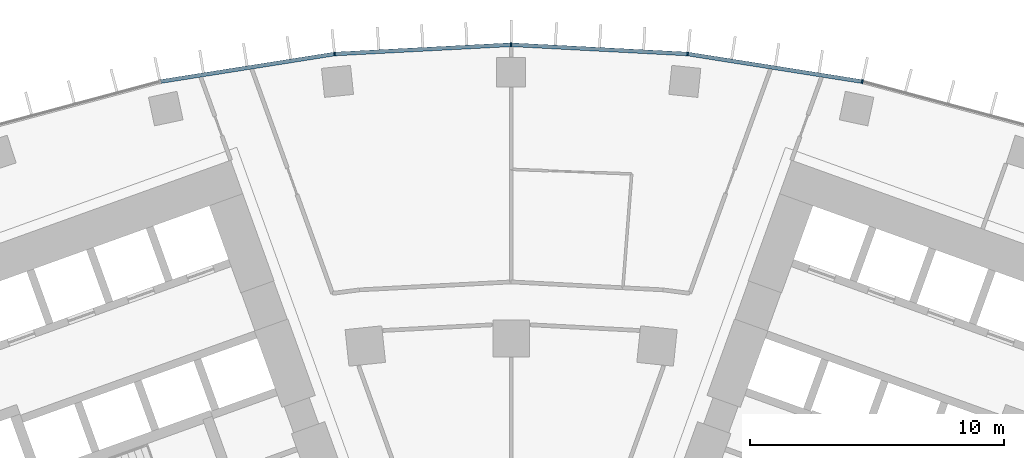
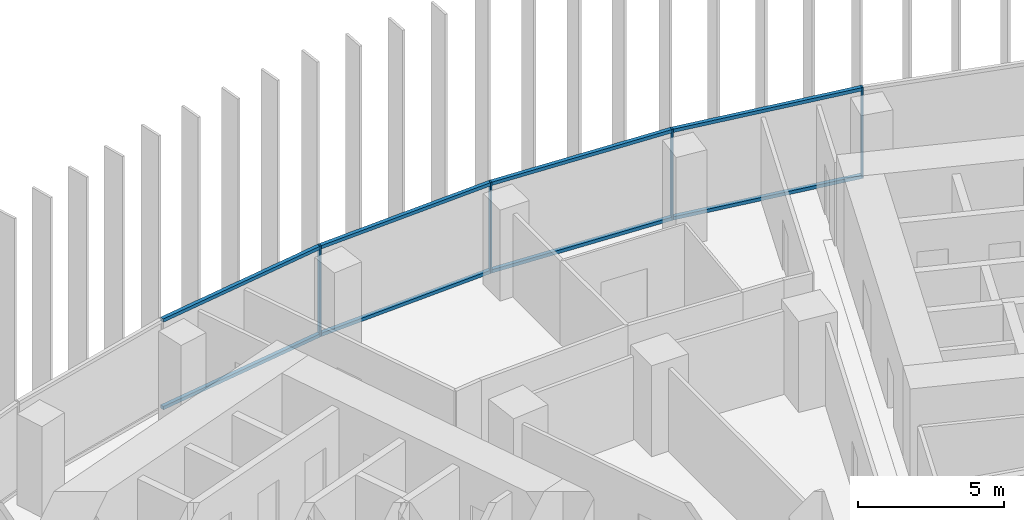
# One storey, part 7 of 22: 12 members, 1 element without a shape of its own.
"""IFC4 building model written with IfcOpenShell, lengths in metres."""

from ifc_helpers import new_model, si_unit, direction, frame, origin, origin_2d, place, context, subcontext, project, spatial, rectangle, extrude, material, layer, layer_set, material_profile, profile_set, type_object, element, aggregate, save


model = new_model("IFC4")

# Units and contexts
model_context = context("Model", 3, precision=1e-05, world=origin(), true_north=direction((0.0, 1.0)))
body_context = subcontext(model_context, "Body", "Model", "MODEL_VIEW")
ifc_project = project(units=[si_unit("LENGTHUNIT", "METRE"), si_unit("AREAUNIT", "SQUARE_METRE"), si_unit("VOLUMEUNIT", "CUBIC_METRE"), si_unit("PLANEANGLEUNIT", "RADIAN"), si_unit("MASSUNIT", "GRAM", prefix="KILO")], contexts=[model_context])

# Site, building, storey
site_placement = place(None, origin())
site = spatial("IfcSite", under=ifc_project, at=site_placement, CompositionType="ELEMENT")
building_placement = place(site_placement, origin())
building = spatial("IfcBuilding", under=site, at=building_placement, Name="Stone Belt Terrace Tower", CompositionType="ELEMENT")
storey_placement = place(building_placement, frame((0.0, 0.0, 109.800048828125)))
storey = spatial("IfcBuildingStorey", under=building, at=storey_placement, Name="L26", CompositionType="ELEMENT", Elevation=109.800048828125)

# Curtain wall, members
ifc_material = material(Name="Aluminium 6063-T6 anodised frame", Category="aluminium")
ifc_layer = layer(ifc_material, 0.14990234375)
ifc_layer_set = layer_set([ifc_layer], Name="CW-A unitised convex-face curtain wall")
curtain_wall_type = type_object("IfcCurtainWallType", Name="CW-A unitised convex-face curtain wall", PredefinedType="NOTDEFINED", material=ifc_layer_set)
curtain_wall_placement = place(storey_placement, origin())
curtain_wall = element("IfcCurtainWall", 1, at=curtain_wall_placement, inside=storey, type_object=curtain_wall_type, Name="CW-A convex face L26", PredefinedType="NOTDEFINED")
ifc_material_profile_1 = material_profile(ifc_material, rectangle(XDim=0.14990234375, YDim=0.06005859375, at=origin_2d()), Name="Aluminium 6063-T6 60x150")
ifc_profile_set_1 = profile_set([ifc_material_profile_1], Name="Aluminium 6063-T6 anodised frame")
member_type_1 = type_object("IfcMemberType", Name="CW-A mullion 60 x 150", PredefinedType="MULLION", material=ifc_profile_set_1)
member_1_placement = place(storey_placement, frame((13.841796875, 65.120361328125, 0.0), z_axis=(0.0, 0.0, 1.0), x_axis=(-0.207911690818, -0.978147600734, 0.0)))
member_1 = element("IfcMember", 2, at=member_1_placement, type_object=member_type_1, Name="CW-A mullion 8", PredefinedType="MULLION", context=body_context, shape_type="SweptSolid", body=[
    extrude(rectangle(XDim=0.14990234375, YDim=0.06005859375, at=origin_2d()), origin(), (0.0, 0.0, 1.0), 3.800048828125),
])
member_2_placement = place(storey_placement, frame((6.958984375, 66.21044921875, 0.0), z_axis=(0.0, 0.0, 1.0), x_axis=(-0.104528463268, -0.994521895368, 0.0)))
member_2 = element("IfcMember", 3, at=member_2_placement, type_object=member_type_1, Name="CW-A mullion 9", PredefinedType="MULLION", context=body_context, shape_type="SweptSolid", body=[
    extrude(rectangle(XDim=0.14990234375, YDim=0.06005859375, at=origin_2d()), origin(), (0.0, 0.0, 1.0), 3.800048828125),
])
member_3_placement = place(storey_placement, frame((0.0, 66.5751953125, 0.0), z_axis=(0.0, 0.0, 1.0), x_axis=(0.0, -1.0, 0.0)))
member_3 = element("IfcMember", 4, at=member_3_placement, type_object=member_type_1, Name="CW-A mullion 10", PredefinedType="MULLION", context=body_context, shape_type="SweptSolid", body=[
    extrude(rectangle(XDim=0.14990234375, YDim=0.06005859375, at=origin_2d()), origin(), (0.0, 0.0, 1.0), 3.800048828125),
])
member_4_placement = place(storey_placement, frame((-6.958984375, 66.21044921875, 0.0), z_axis=(0.0, 0.0, 1.0), x_axis=(0.104528463268, -0.994521895368, 0.0)))
member_4 = element("IfcMember", 5, at=member_4_placement, type_object=member_type_1, Name="CW-A mullion 11", PredefinedType="MULLION", context=body_context, shape_type="SweptSolid", body=[
    extrude(rectangle(XDim=0.14990234375, YDim=0.06005859375, at=origin_2d()), origin(), (0.0, 0.0, 1.0), 3.800048828125),
])
ifc_material_profile_2 = material_profile(ifc_material, rectangle(XDim=0.14990234375, YDim=0.139892578125, at=origin_2d()), Name="Aluminium 6063-T6 150x140")
ifc_profile_set_2 = profile_set([ifc_material_profile_2], Name="Aluminium 6063-T6 anodised frame")
member_type_2 = type_object("IfcMemberType", Name="CW-A transom 140 x 150", PredefinedType="USERDEFINED", material=ifc_profile_set_2)
member_5_placement = place(storey_placement, frame((13.808349609375, 65.12548828125, 0.070068359375), z_axis=(-0.987687120531, 0.156442168027, 0.0), x_axis=(-0.156442168027, -0.987687120531, 0.0)))
member_5 = element("IfcMember", 6, at=member_5_placement, type_object=member_type_2, Name="CW-A transom 8.1", ObjectType="TRANSOM", PredefinedType="USERDEFINED", context=body_context, shape_type="SweptSolid", body=[
    extrude(rectangle(XDim=0.14990234375, YDim=0.139892578125, at=origin_2d()), origin(), (0.0, 0.0, 1.0), 6.90087890625),
])
member_6_placement = place(storey_placement, frame((13.808349609375, 65.12548828125, 3.72998046875), z_axis=(-0.987687120531, 0.156442168027, 0.0), x_axis=(-0.156442168027, -0.987687120531, 0.0)))
member_6 = element("IfcMember", 7, at=member_6_placement, type_object=member_type_2, Name="CW-A transom 8.2", ObjectType="TRANSOM", PredefinedType="USERDEFINED", context=body_context, shape_type="SweptSolid", body=[
    extrude(rectangle(XDim=0.14990234375, YDim=0.139892578125, at=origin_2d()), origin(), (0.0, 0.0, 1.0), 6.90087890625),
])
member_7_placement = place(storey_placement, frame((6.925048828125, 66.212158203125, 0.070068359375), z_axis=(-0.998630019135, 0.052326712899, 0.0), x_axis=(-0.052326712899, -0.998630019135, 0.0)))
member_7 = element("IfcMember", 8, at=member_7_placement, type_object=member_type_2, Name="CW-A transom 9.1", ObjectType="TRANSOM", PredefinedType="USERDEFINED", context=body_context, shape_type="SweptSolid", body=[
    extrude(rectangle(XDim=0.14990234375, YDim=0.139892578125, at=origin_2d()), origin(), (0.0, 0.0, 1.0), 6.900634765625),
])
member_8_placement = place(storey_placement, frame((6.925048828125, 66.212158203125, 3.72998046875), z_axis=(-0.998630019135, 0.052326712899, 0.0), x_axis=(-0.052326712899, -0.998630019135, 0.0)))
member_8 = element("IfcMember", 9, at=member_8_placement, type_object=member_type_2, Name="CW-A transom 9.2", ObjectType="TRANSOM", PredefinedType="USERDEFINED", context=body_context, shape_type="SweptSolid", body=[
    extrude(rectangle(XDim=0.14990234375, YDim=0.139892578125, at=origin_2d()), origin(), (0.0, 0.0, 1.0), 6.900634765625),
])
member_9_placement = place(storey_placement, frame((-0.033935546875, 66.5732421875, 0.070068359375), z_axis=(-0.998630019135, -0.052326712899, 0.0), x_axis=(0.052326712899, -0.998630019135, 0.0)))
member_9 = element("IfcMember", 10, at=member_9_placement, type_object=member_type_2, Name="CW-A transom 10.1", ObjectType="TRANSOM", PredefinedType="USERDEFINED", context=body_context, shape_type="SweptSolid", body=[
    extrude(rectangle(XDim=0.14990234375, YDim=0.139892578125, at=origin_2d()), origin(), (0.0, 0.0, 1.0), 6.900634765625),
])
member_10_placement = place(storey_placement, frame((-0.033935546875, 66.5732421875, 3.72998046875), z_axis=(-0.998630019135, -0.052326712899, 0.0), x_axis=(0.052326712899, -0.998630019135, 0.0)))
member_10 = element("IfcMember", 11, at=member_10_placement, type_object=member_type_2, Name="CW-A transom 10.2", ObjectType="TRANSOM", PredefinedType="USERDEFINED", context=body_context, shape_type="SweptSolid", body=[
    extrude(rectangle(XDim=0.14990234375, YDim=0.139892578125, at=origin_2d()), origin(), (0.0, 0.0, 1.0), 6.900634765625),
])
member_11_placement = place(storey_placement, frame((-6.992431640625, 66.205078125, 0.070068359375), z_axis=(-0.987687120531, -0.156442168027, 0.0), x_axis=(0.156442168027, -0.987687120531, 0.0)))
member_11 = element("IfcMember", 12, at=member_11_placement, type_object=member_type_2, Name="CW-A transom 11.1", ObjectType="TRANSOM", PredefinedType="USERDEFINED", context=body_context, shape_type="SweptSolid", body=[
    extrude(rectangle(XDim=0.14990234375, YDim=0.139892578125, at=origin_2d()), origin(), (0.0, 0.0, 1.0), 6.90087890625),
])
member_12_placement = place(storey_placement, frame((-6.992431640625, 66.205078125, 3.72998046875), z_axis=(-0.987687120531, -0.156442168027, 0.0), x_axis=(0.156442168027, -0.987687120531, 0.0)))
member_12 = element("IfcMember", 13, at=member_12_placement, type_object=member_type_2, Name="CW-A transom 11.2", ObjectType="TRANSOM", PredefinedType="USERDEFINED", context=body_context, shape_type="SweptSolid", body=[
    extrude(rectangle(XDim=0.14990234375, YDim=0.139892578125, at=origin_2d()), origin(), (0.0, 0.0, 1.0), 6.90087890625),
])
aggregate(curtain_wall, [member_1, member_2, member_3, member_4, member_5, member_6, member_7, member_8, member_9, member_10, member_11, member_12])

save(model, "model.ifc")
